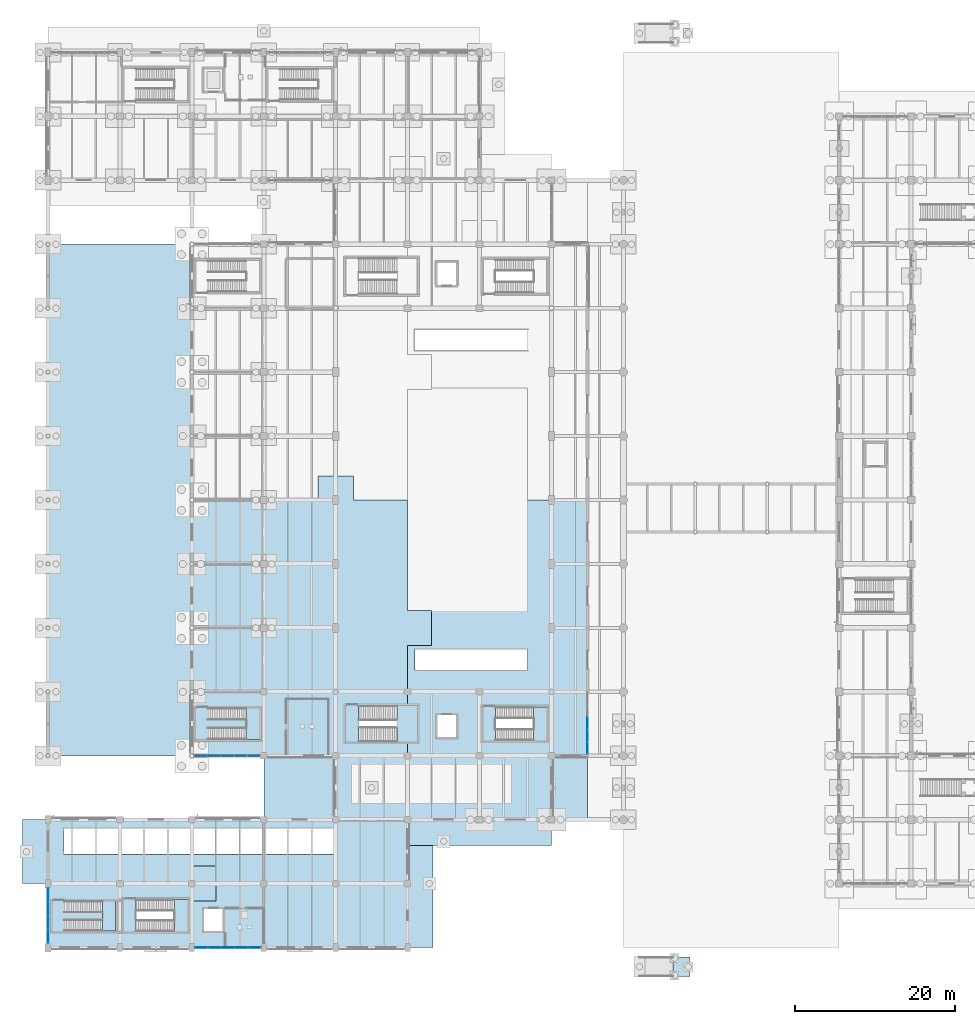
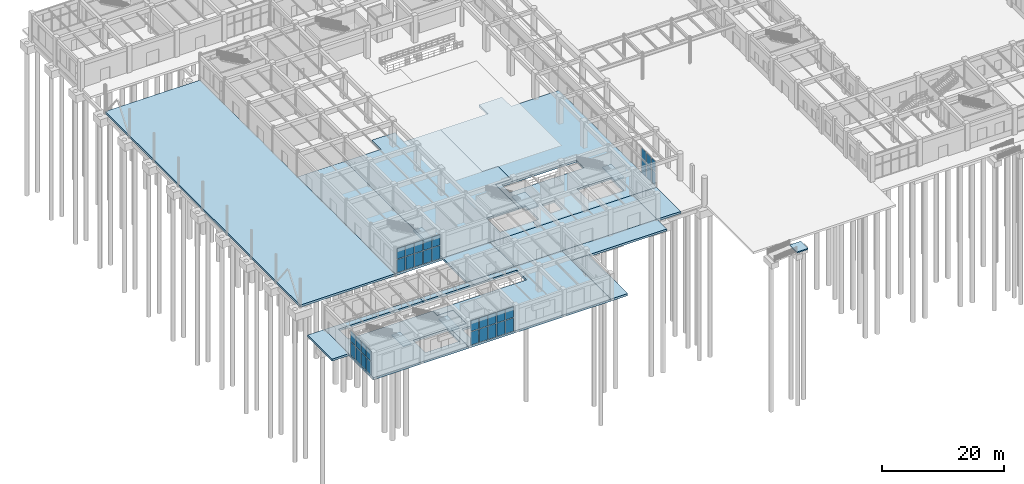
# One storey, part 82 of 121: 34 plates, 18 slabs, 10 elements without a shape of their own.
"""IFC4 building model written with IfcOpenShell, lengths in metres."""

from ifc_helpers import new_model, si_unit, derived_unit, direction, frame, origin, origin_2d, place, context, subcontext, project, spatial, polyline, rectangle, outline, extrude, material, layer, layer_set, type_object, element, aggregate, save


model = new_model("IFC4")

# Units and contexts
model_context = context("Model", 3, precision=1e-05, world=origin(), true_north=direction((0.0, 1.0)))
body_context = subcontext(model_context, "Body", "Model", "MODEL_VIEW")
ifc_project = project(units=[si_unit("LENGTHUNIT", "METRE"), si_unit("AREAUNIT", "SQUARE_METRE"), si_unit("VOLUMEUNIT", "CUBIC_METRE"), si_unit("PLANEANGLEUNIT", "RADIAN"), si_unit("MASSUNIT", "GRAM", prefix="KILO"), derived_unit("THERMALTRANSMITTANCEUNIT", [(si_unit("MASSUNIT", "GRAM", prefix="KILO"), 1), (si_unit("TIMEUNIT", "SECOND"), -3), (si_unit("THERMODYNAMICTEMPERATUREUNIT", "KELVIN"), -1)])], contexts=[model_context])

# Site, building, storey
site_placement = place(None, origin())
site = spatial("IfcSite", under=ifc_project, at=site_placement, CompositionType="ELEMENT")
building_placement = place(site_placement, origin())
building = spatial("IfcBuilding", under=site, at=building_placement, Name="Zhenchuan Archway Interchange", CompositionType="ELEMENT")
storey_placement = place(building_placement, origin())
storey = spatial("IfcBuildingStorey", under=building, at=storey_placement, Name="L00", CompositionType="ELEMENT", Elevation=0.0)

# Curtain wall, plates
ifc_material_1 = material(Name="Anodised Aluminium", Category="aluminium")
curtain_wall_type_1 = type_object("IfcCurtainWallType", Name="CW_UNIT_2", PredefinedType="NOTDEFINED", material=ifc_material_1)
curtain_wall_1_placement = place(storey_placement, origin())
curtain_wall_1 = element("IfcCurtainWall", 1, at=curtain_wall_1_placement, inside=storey, type_object=curtain_wall_type_1, Name="Unitised curtain wall CW:L00:001", PredefinedType="NOTDEFINED")
ifc_material_2 = material(Name="Double Low-E Insulated Glazing", Category="glass")
ifc_layer_1 = layer(ifc_material_2, 0.031982421875)
ifc_layer_set_1 = layer_set([ifc_layer_1], Name="Double Low-E Insulated Glazing")
plate_type_1 = type_object("IfcPlateType", Name="CW_GLZ_5", PredefinedType="CURTAIN_PANEL", material=ifc_layer_set_1)
plate_1_placement = place(storey_placement, frame((25.760986328125, 24.0, 0.080078125), z_axis=(0.0, 0.0, 1.0), x_axis=(-1.0, 0.0, 0.0)))
plate_1 = element("IfcPlate", 2, at=plate_1_placement, type_object=plate_type_1, Name="CW:L00:001 lower glazing panel 0", PredefinedType="CURTAIN_PANEL", context=body_context, shape_type="SweptSolid", body=[
    extrude(rectangle(XDim=1.51220703125, YDim=0.028076171875, at=origin_2d()), origin(), (0.0, 0.0, 1.0), 2.610107421875),
])
plate_2_placement = place(storey_placement, frame((24.098876953125, 24.0, 0.080078125), z_axis=(0.0, 0.0, 1.0), x_axis=(-1.0, 0.0, 0.0)))
plate_2 = element("IfcPlate", 3, at=plate_2_placement, type_object=plate_type_1, Name="CW:L00:001 lower glazing panel 1", PredefinedType="CURTAIN_PANEL", context=body_context, shape_type="SweptSolid", body=[
    extrude(rectangle(XDim=1.531982421875, YDim=0.028076171875, at=origin_2d()), origin(), (0.0, 0.0, 1.0), 2.610107421875),
])
plate_3_placement = place(storey_placement, frame((22.4267578125, 24.0, 0.080078125), z_axis=(0.0, 0.0, 1.0), x_axis=(-1.0, 0.0, 0.0)))
plate_3 = element("IfcPlate", 4, at=plate_3_placement, type_object=plate_type_1, Name="CW:L00:001 lower glazing panel 2", PredefinedType="CURTAIN_PANEL", context=body_context, shape_type="SweptSolid", body=[
    extrude(rectangle(XDim=1.531982421875, YDim=0.028076171875, at=origin_2d()), origin(), (0.0, 0.0, 1.0), 2.610107421875),
])
plate_4_placement = place(storey_placement, frame((20.754638671875, 24.0, 0.080078125), z_axis=(0.0, 0.0, 1.0), x_axis=(-1.0, 0.0, 0.0)))
plate_4 = element("IfcPlate", 5, at=plate_4_placement, type_object=plate_type_1, Name="CW:L00:001 lower glazing panel 3", PredefinedType="CURTAIN_PANEL", context=body_context, shape_type="SweptSolid", body=[
    extrude(rectangle(XDim=1.531982421875, YDim=0.028076171875, at=origin_2d()), origin(), (0.0, 0.0, 1.0), 2.610107421875),
])
plate_5_placement = place(storey_placement, frame((19.092529296875, 24.0, 0.080078125), z_axis=(0.0, 0.0, 1.0), x_axis=(-1.0, 0.0, 0.0)))
plate_5 = element("IfcPlate", 6, at=plate_5_placement, type_object=plate_type_1, Name="CW:L00:001 lower glazing panel 4", PredefinedType="CURTAIN_PANEL", context=body_context, shape_type="SweptSolid", body=[
    extrude(rectangle(XDim=1.51220703125, YDim=0.028076171875, at=origin_2d()), origin(), (0.0, 0.0, 1.0), 2.610107421875),
])

curtain_wall_type_2 = type_object("IfcCurtainWallType", Name="CW_UNIT_1", PredefinedType="NOTDEFINED", material=ifc_material_1)
curtain_wall_2_placement = place(storey_placement, origin())
curtain_wall_2 = element("IfcCurtainWall", 7, at=curtain_wall_2_placement, inside=storey, type_object=curtain_wall_type_2, Name="Unitised curtain wall CW:L00:008", PredefinedType="NOTDEFINED")
plate_6_placement = place(storey_placement, frame((67.5, 28.090087890625, 0.080078125), z_axis=(0.0, 0.0, 1.0), x_axis=(0.0, -1.0, 0.0)))
plate_6 = element("IfcPlate", 8, at=plate_6_placement, type_object=plate_type_1, Name="CW:L00:008 lower glazing panel 2", PredefinedType="CURTAIN_PANEL", context=body_context, shape_type="SweptSolid", body=[
    extrude(rectangle(XDim=1.424072265625, YDim=0.028076171875, at=origin_2d()), origin(), (0.0, 0.0, 1.0), 2.64306640625),
])
plate_7_placement = place(storey_placement, frame((67.5, 26.52587890625, 0.080078125), z_axis=(0.0, 0.0, 1.0), x_axis=(0.0, -1.0, 0.0)))
plate_7 = element("IfcPlate", 9, at=plate_7_placement, type_object=plate_type_1, Name="CW:L00:008 lower glazing panel 3", PredefinedType="CURTAIN_PANEL", context=body_context, shape_type="SweptSolid", body=[
    extrude(rectangle(XDim=1.424072265625, YDim=0.028076171875, at=origin_2d()), origin(), (0.0, 0.0, 1.0), 2.64306640625),
])
plate_8_placement = place(storey_placement, frame((67.5, 24.971923828125, 0.080078125), z_axis=(0.0, 0.0, 1.0), x_axis=(0.0, -1.0, 0.0)))
plate_8 = element("IfcPlate", 10, at=plate_8_placement, type_object=plate_type_1, Name="CW:L00:008 lower glazing panel 4", PredefinedType="CURTAIN_PANEL", context=body_context, shape_type="SweptSolid", body=[
    extrude(rectangle(XDim=1.404052734375, YDim=0.028076171875, at=origin_2d()), origin(), (0.0, 0.0, 1.0), 2.64306640625),
])

curtain_wall_3_placement = place(storey_placement, origin())
curtain_wall_3 = element("IfcCurtainWall", 11, at=curtain_wall_3_placement, inside=storey, type_object=curtain_wall_type_1, Name="Unitised curtain wall CW:L00:009", PredefinedType="NOTDEFINED")
plate_9_placement = place(storey_placement, frame((25.835693359375, 0.0, 0.080078125), z_axis=(0.0, 0.0, 1.0), x_axis=(-1.0, 0.0, 0.0)))
plate_9 = element("IfcPlate", 12, at=plate_9_placement, type_object=plate_type_1, Name="CW:L00:009 lower glazing panel 0", PredefinedType="CURTAIN_PANEL", context=body_context, shape_type="SweptSolid", body=[
    extrude(rectangle(XDim=1.5126953125, YDim=0.028076171875, at=origin_2d()), origin(), (0.0, 0.0, 1.0), 2.64306640625),
])
plate_10_placement = place(storey_placement, frame((24.1728515625, 0.0, 0.080078125), z_axis=(0.0, 0.0, 1.0), x_axis=(-1.0, 0.0, 0.0)))
plate_10 = element("IfcPlate", 13, at=plate_10_placement, type_object=plate_type_1, Name="CW:L00:009 lower glazing panel 1", PredefinedType="CURTAIN_PANEL", context=body_context, shape_type="SweptSolid", body=[
    extrude(rectangle(XDim=1.53271484375, YDim=0.028076171875, at=origin_2d()), origin(), (0.0, 0.0, 1.0), 2.64306640625),
])
plate_11_placement = place(storey_placement, frame((22.5, 0.0, 0.080078125), z_axis=(0.0, 0.0, 1.0), x_axis=(-1.0, 0.0, 0.0)))
plate_11 = element("IfcPlate", 14, at=plate_11_placement, type_object=plate_type_1, Name="CW:L00:009 lower glazing panel 2", PredefinedType="CURTAIN_PANEL", context=body_context, shape_type="SweptSolid", body=[
    extrude(rectangle(XDim=1.53271484375, YDim=0.028076171875, at=origin_2d()), origin(), (0.0, 0.0, 1.0), 2.64306640625),
])
plate_12_placement = place(storey_placement, frame((20.8271484375, 0.0, 0.080078125), z_axis=(0.0, 0.0, 1.0), x_axis=(-1.0, 0.0, 0.0)))
plate_12 = element("IfcPlate", 15, at=plate_12_placement, type_object=plate_type_1, Name="CW:L00:009 lower glazing panel 3", PredefinedType="CURTAIN_PANEL", context=body_context, shape_type="SweptSolid", body=[
    extrude(rectangle(XDim=1.53271484375, YDim=0.028076171875, at=origin_2d()), origin(), (0.0, 0.0, 1.0), 2.64306640625),
])
plate_13_placement = place(storey_placement, frame((19.164306640625, 0.0, 0.080078125), z_axis=(0.0, 0.0, 1.0), x_axis=(-1.0, 0.0, 0.0)))
plate_13 = element("IfcPlate", 16, at=plate_13_placement, type_object=plate_type_1, Name="CW:L00:009 lower glazing panel 4", PredefinedType="CURTAIN_PANEL", context=body_context, shape_type="SweptSolid", body=[
    extrude(rectangle(XDim=1.5126953125, YDim=0.028076171875, at=origin_2d()), origin(), (0.0, 0.0, 1.0), 2.64306640625),
])

curtain_wall_type_3 = type_object("IfcCurtainWallType", Name="CW_UNIT_3", PredefinedType="NOTDEFINED", material=ifc_material_1)
curtain_wall_4_placement = place(storey_placement, origin())
curtain_wall_4 = element("IfcCurtainWall", 17, at=curtain_wall_4_placement, inside=storey, type_object=curtain_wall_type_3, Name="Unitised curtain wall CW:L00:010", PredefinedType="NOTDEFINED")
plate_14_placement = place(storey_placement, frame((0.0, 1.3798828125, 0.080078125), z_axis=(0.0, 0.0, 1.0), x_axis=(0.0, 1.0, 0.0)))
plate_14 = element("IfcPlate", 18, at=plate_14_placement, type_object=plate_type_1, Name="CW:L00:010 lower glazing panel 0", PredefinedType="CURTAIN_PANEL", context=body_context, shape_type="SweptSolid", body=[
    extrude(rectangle(XDim=1.593505859375, YDim=0.028076171875, at=origin_2d()), origin(), (0.0, 0.0, 1.0), 2.64306640625),
])
plate_15_placement = place(storey_placement, frame((0.0, 3.123291015625, 0.080078125), z_axis=(0.0, 0.0, 1.0), x_axis=(0.0, 1.0, 0.0)))
plate_15 = element("IfcPlate", 19, at=plate_15_placement, type_object=plate_type_1, Name="CW:L00:010 lower glazing panel 1", PredefinedType="CURTAIN_PANEL", context=body_context, shape_type="SweptSolid", body=[
    extrude(rectangle(XDim=1.613525390625, YDim=0.028076171875, at=origin_2d()), origin(), (0.0, 0.0, 1.0), 2.64306640625),
])
plate_16_placement = place(storey_placement, frame((0.0, 4.876708984375, 0.080078125), z_axis=(0.0, 0.0, 1.0), x_axis=(0.0, 1.0, 0.0)))
plate_16 = element("IfcPlate", 20, at=plate_16_placement, type_object=plate_type_1, Name="CW:L00:010 lower glazing panel 2", PredefinedType="CURTAIN_PANEL", context=body_context, shape_type="SweptSolid", body=[
    extrude(rectangle(XDim=1.613525390625, YDim=0.028076171875, at=origin_2d()), origin(), (0.0, 0.0, 1.0), 2.64306640625),
])
plate_17_placement = place(storey_placement, frame((0.0, 6.6201171875, 0.080078125), z_axis=(0.0, 0.0, 1.0), x_axis=(0.0, 1.0, 0.0)))
plate_17 = element("IfcPlate", 21, at=plate_17_placement, type_object=plate_type_1, Name="CW:L00:010 lower glazing panel 3", PredefinedType="CURTAIN_PANEL", context=body_context, shape_type="SweptSolid", body=[
    extrude(rectangle(XDim=1.593505859375, YDim=0.028076171875, at=origin_2d()), origin(), (0.0, 0.0, 1.0), 2.64306640625),
])

# Plate
ifc_layer_2 = layer(ifc_material_2, 0.02197265625)
ifc_layer_set_2 = layer_set([ifc_layer_2], Name="Double Low-E Insulated Glazing")
plate_type_2 = type_object("IfcPlateType", Name="CW_GLZ_6", PredefinedType="CURTAIN_PANEL", material=ifc_layer_set_2)
plate_18_placement = place(storey_placement, frame((25.760986328125, 24.0, 2.81005859375), z_axis=(0.0, 0.0, 1.0), x_axis=(-1.0, 0.0, 0.0)))
plate_18 = element("IfcPlate", 22, at=plate_18_placement, type_object=plate_type_2, Name="CW:L00:001 upper glazing panel 0", PredefinedType="CURTAIN_PANEL", context=body_context, shape_type="SweptSolid", body=[
    extrude(rectangle(XDim=1.51220703125, YDim=0.02587890625, at=origin_2d()), origin(), (0.0, 0.0, 1.0), 2.110107421875),
])

plate_19_placement = place(storey_placement, frame((24.098876953125, 24.0, 2.81005859375), z_axis=(0.0, 0.0, 1.0), x_axis=(-1.0, 0.0, 0.0)))
plate_19 = element("IfcPlate", 23, at=plate_19_placement, type_object=plate_type_2, Name="CW:L00:001 upper glazing panel 1", PredefinedType="CURTAIN_PANEL", context=body_context, shape_type="SweptSolid", body=[
    extrude(rectangle(XDim=1.531982421875, YDim=0.02587890625, at=origin_2d()), origin(), (0.0, 0.0, 1.0), 2.110107421875),
])

plate_20_placement = place(storey_placement, frame((22.4267578125, 24.0, 2.81005859375), z_axis=(0.0, 0.0, 1.0), x_axis=(-1.0, 0.0, 0.0)))
plate_20 = element("IfcPlate", 24, at=plate_20_placement, type_object=plate_type_2, Name="CW:L00:001 upper glazing panel 2", PredefinedType="CURTAIN_PANEL", context=body_context, shape_type="SweptSolid", body=[
    extrude(rectangle(XDim=1.531982421875, YDim=0.02587890625, at=origin_2d()), origin(), (0.0, 0.0, 1.0), 2.110107421875),
])

plate_21_placement = place(storey_placement, frame((20.754638671875, 24.0, 2.81005859375), z_axis=(0.0, 0.0, 1.0), x_axis=(-1.0, 0.0, 0.0)))
plate_21 = element("IfcPlate", 25, at=plate_21_placement, type_object=plate_type_2, Name="CW:L00:001 upper glazing panel 3", PredefinedType="CURTAIN_PANEL", context=body_context, shape_type="SweptSolid", body=[
    extrude(rectangle(XDim=1.531982421875, YDim=0.02587890625, at=origin_2d()), origin(), (0.0, 0.0, 1.0), 2.110107421875),
])

plate_22_placement = place(storey_placement, frame((19.092529296875, 24.0, 2.81005859375), z_axis=(0.0, 0.0, 1.0), x_axis=(-1.0, 0.0, 0.0)))
plate_22 = element("IfcPlate", 26, at=plate_22_placement, type_object=plate_type_2, Name="CW:L00:001 upper glazing panel 4", PredefinedType="CURTAIN_PANEL", context=body_context, shape_type="SweptSolid", body=[
    extrude(rectangle(XDim=1.51220703125, YDim=0.02587890625, at=origin_2d()), origin(), (0.0, 0.0, 1.0), 2.110107421875),
])

aggregate(curtain_wall_1, [plate_1, plate_18, plate_2, plate_19, plate_3, plate_20, plate_4, plate_21, plate_5, plate_22])

plate_23_placement = place(storey_placement, frame((67.5, 28.090087890625, 2.84326171875), z_axis=(0.0, 0.0, 1.0), x_axis=(0.0, -1.0, 0.0)))
plate_23 = element("IfcPlate", 27, at=plate_23_placement, type_object=plate_type_2, Name="CW:L00:008 upper glazing panel 2", PredefinedType="CURTAIN_PANEL", context=body_context, shape_type="SweptSolid", body=[
    extrude(rectangle(XDim=1.424072265625, YDim=0.02587890625, at=origin_2d()), origin(), (0.0, 0.0, 1.0), 2.136962890625),
])

plate_24_placement = place(storey_placement, frame((67.5, 26.52587890625, 2.84326171875), z_axis=(0.0, 0.0, 1.0), x_axis=(0.0, -1.0, 0.0)))
plate_24 = element("IfcPlate", 28, at=plate_24_placement, type_object=plate_type_2, Name="CW:L00:008 upper glazing panel 3", PredefinedType="CURTAIN_PANEL", context=body_context, shape_type="SweptSolid", body=[
    extrude(rectangle(XDim=1.424072265625, YDim=0.02587890625, at=origin_2d()), origin(), (0.0, 0.0, 1.0), 2.136962890625),
])

plate_25_placement = place(storey_placement, frame((67.5, 24.971923828125, 2.84326171875), z_axis=(0.0, 0.0, 1.0), x_axis=(0.0, -1.0, 0.0)))
plate_25 = element("IfcPlate", 29, at=plate_25_placement, type_object=plate_type_2, Name="CW:L00:008 upper glazing panel 4", PredefinedType="CURTAIN_PANEL", context=body_context, shape_type="SweptSolid", body=[
    extrude(rectangle(XDim=1.404052734375, YDim=0.02587890625, at=origin_2d()), origin(), (0.0, 0.0, 1.0), 2.136962890625),
])

aggregate(curtain_wall_2, [plate_6, plate_23, plate_7, plate_24, plate_8, plate_25])

plate_26_placement = place(storey_placement, frame((25.835693359375, 0.0, 2.84326171875), z_axis=(0.0, 0.0, 1.0), x_axis=(-1.0, 0.0, 0.0)))
plate_26 = element("IfcPlate", 30, at=plate_26_placement, type_object=plate_type_2, Name="CW:L00:009 upper glazing panel 0", PredefinedType="CURTAIN_PANEL", context=body_context, shape_type="SweptSolid", body=[
    extrude(rectangle(XDim=1.5126953125, YDim=0.02587890625, at=origin_2d()), origin(), (0.0, 0.0, 1.0), 2.136962890625),
])

plate_27_placement = place(storey_placement, frame((24.1728515625, 0.0, 2.84326171875), z_axis=(0.0, 0.0, 1.0), x_axis=(-1.0, 0.0, 0.0)))
plate_27 = element("IfcPlate", 31, at=plate_27_placement, type_object=plate_type_2, Name="CW:L00:009 upper glazing panel 1", PredefinedType="CURTAIN_PANEL", context=body_context, shape_type="SweptSolid", body=[
    extrude(rectangle(XDim=1.53271484375, YDim=0.02587890625, at=origin_2d()), origin(), (0.0, 0.0, 1.0), 2.136962890625),
])

plate_28_placement = place(storey_placement, frame((22.5, 0.0, 2.84326171875), z_axis=(0.0, 0.0, 1.0), x_axis=(-1.0, 0.0, 0.0)))
plate_28 = element("IfcPlate", 32, at=plate_28_placement, type_object=plate_type_2, Name="CW:L00:009 upper glazing panel 2", PredefinedType="CURTAIN_PANEL", context=body_context, shape_type="SweptSolid", body=[
    extrude(rectangle(XDim=1.53271484375, YDim=0.02587890625, at=origin_2d()), origin(), (0.0, 0.0, 1.0), 2.136962890625),
])

plate_29_placement = place(storey_placement, frame((20.8271484375, 0.0, 2.84326171875), z_axis=(0.0, 0.0, 1.0), x_axis=(-1.0, 0.0, 0.0)))
plate_29 = element("IfcPlate", 33, at=plate_29_placement, type_object=plate_type_2, Name="CW:L00:009 upper glazing panel 3", PredefinedType="CURTAIN_PANEL", context=body_context, shape_type="SweptSolid", body=[
    extrude(rectangle(XDim=1.53271484375, YDim=0.02587890625, at=origin_2d()), origin(), (0.0, 0.0, 1.0), 2.136962890625),
])

plate_30_placement = place(storey_placement, frame((19.164306640625, 0.0, 2.84326171875), z_axis=(0.0, 0.0, 1.0), x_axis=(-1.0, 0.0, 0.0)))
plate_30 = element("IfcPlate", 34, at=plate_30_placement, type_object=plate_type_2, Name="CW:L00:009 upper glazing panel 4", PredefinedType="CURTAIN_PANEL", context=body_context, shape_type="SweptSolid", body=[
    extrude(rectangle(XDim=1.5126953125, YDim=0.02587890625, at=origin_2d()), origin(), (0.0, 0.0, 1.0), 2.136962890625),
])

aggregate(curtain_wall_3, [plate_9, plate_26, plate_10, plate_27, plate_11, plate_28, plate_12, plate_29, plate_13, plate_30])

plate_31_placement = place(storey_placement, frame((0.0, 1.3798828125, 2.84326171875), z_axis=(0.0, 0.0, 1.0), x_axis=(0.0, 1.0, 0.0)))
plate_31 = element("IfcPlate", 35, at=plate_31_placement, type_object=plate_type_2, Name="CW:L00:010 upper glazing panel 0", PredefinedType="CURTAIN_PANEL", context=body_context, shape_type="SweptSolid", body=[
    extrude(rectangle(XDim=1.593505859375, YDim=0.02587890625, at=origin_2d()), origin(), (0.0, 0.0, 1.0), 2.136962890625),
])

plate_32_placement = place(storey_placement, frame((0.0, 3.123291015625, 2.84326171875), z_axis=(0.0, 0.0, 1.0), x_axis=(0.0, 1.0, 0.0)))
plate_32 = element("IfcPlate", 36, at=plate_32_placement, type_object=plate_type_2, Name="CW:L00:010 upper glazing panel 1", PredefinedType="CURTAIN_PANEL", context=body_context, shape_type="SweptSolid", body=[
    extrude(rectangle(XDim=1.613525390625, YDim=0.02587890625, at=origin_2d()), origin(), (0.0, 0.0, 1.0), 2.136962890625),
])

plate_33_placement = place(storey_placement, frame((0.0, 4.876708984375, 2.84326171875), z_axis=(0.0, 0.0, 1.0), x_axis=(0.0, 1.0, 0.0)))
plate_33 = element("IfcPlate", 37, at=plate_33_placement, type_object=plate_type_2, Name="CW:L00:010 upper glazing panel 2", PredefinedType="CURTAIN_PANEL", context=body_context, shape_type="SweptSolid", body=[
    extrude(rectangle(XDim=1.613525390625, YDim=0.02587890625, at=origin_2d()), origin(), (0.0, 0.0, 1.0), 2.136962890625),
])

plate_34_placement = place(storey_placement, frame((0.0, 6.6201171875, 2.84326171875), z_axis=(0.0, 0.0, 1.0), x_axis=(0.0, 1.0, 0.0)))
plate_34 = element("IfcPlate", 38, at=plate_34_placement, type_object=plate_type_2, Name="CW:L00:010 upper glazing panel 3", PredefinedType="CURTAIN_PANEL", context=body_context, shape_type="SweptSolid", body=[
    extrude(rectangle(XDim=1.593505859375, YDim=0.02587890625, at=origin_2d()), origin(), (0.0, 0.0, 1.0), 2.136962890625),
])

aggregate(curtain_wall_4, [plate_14, plate_31, plate_15, plate_32, plate_16, plate_33, plate_17, plate_34])

# Slabs
ifc_material_3 = material(Name="Concrete C40", Category="concrete")
ifc_layer_3 = layer(ifc_material_3, 0.419921875)
ifc_layer_set_3 = layer_set([ifc_layer_3], Name="Concrete C40")
slab_type_1 = type_object("IfcSlabType", Name="SLB_FLR_420", PredefinedType="FLOOR", material=ifc_layer_set_3)
slab_1_placement = place(storey_placement, frame((0.0, 0.0, -0.419921875)))
element("IfcSlab", 39, at=slab_1_placement, inside=storey, type_object=slab_type_1, Name="Structural slab L00 CH-SW", PredefinedType="FLOOR", context=body_context, shape_type="SweptSolid", body=[
    extrude(outline(polyline([(47.998046875, 42.197998046875), (47.998046875, 37.802001953125), (45.0, 37.802001953125), (45.0, 30.27490234375), (38.875, 30.27490234375), (38.875, 25.72509765625), (45.0, 25.72509765625), (45.0, 24.0), (27.0, 24.0), (27.0, 56.0), (33.802001953125, 56.0), (33.802001953125, 58.998046875), (38.197998046875, 58.998046875), (38.197998046875, 56.0), (45.0, 56.0), (45.0, 42.197998046875), (47.998046875, 42.197998046875)])), origin(), (0.0, 0.0, 1.0), 0.419921875),
])
slab_2_placement = place(storey_placement, frame((0.0, 0.0, -0.419921875)))
element("IfcSlab", 40, at=slab_2_placement, inside=storey, type_object=slab_type_1, Name="Structural slab L00 CH-SE", PredefinedType="FLOOR", context=body_context, shape_type="SweptSolid", body=[
    extrude(outline(polyline([(67.5, 56.0), (67.5, 24.0), (45.0, 24.0), (45.0, 25.72509765625), (46.22509765625, 25.72509765625), (46.22509765625, 30.27490234375), (45.0, 30.27490234375), (45.0, 37.800048828125), (48.0, 37.800048828125), (48.0, 42.199951171875), (45.0, 42.199951171875), (45.0, 56.0), (54.052001953125, 56.0), (54.052001953125, 58.998046875), (58.447998046875, 58.998046875), (58.447998046875, 56.0), (67.5, 56.0)]), holes=[polyline([(55.965087890625, 30.125), (55.965087890625, 25.875), (62.43505859375, 25.875), (62.43505859375, 30.125), (55.965087890625, 30.125)]), polyline([(60.0, 37.27490234375), (45.89990234375, 37.27490234375), (45.89990234375, 34.72509765625), (60.0, 34.72509765625), (60.0, 37.27490234375)]), polyline([(51.080078125, 26.320068359375), (51.080078125, 29.080078125), (48.719970703125, 29.080078125), (48.719970703125, 26.320068359375), (51.080078125, 26.320068359375)])]), origin(), (0.0, 0.0, 1.0), 0.419921875),
])
slab_3_placement = place(storey_placement, frame((0.0, 0.0, -0.419921875)))
element("IfcSlab", 41, at=slab_3_placement, inside=storey, type_object=slab_type_1, Name="Structural slab L00 CH-ENT-S", PredefinedType="FLOOR", context=body_context, shape_type="SweptSolid", body=[
    extrude(outline(polyline([(63.0, 16.0), (63.0, 24.0), (36.0, 24.0), (36.0, 16.0), (63.0, 16.0)])), origin(), (0.0, 0.0, 1.0), 0.419921875),
])
slab_4_placement = place(storey_placement, frame((0.0, 0.0, -0.419921875)))
element("IfcSlab", 42, at=slab_4_placement, inside=storey, type_object=slab_type_1, Name="Structural slab L00 BUS-S", PredefinedType="FLOOR", context=body_context, shape_type="SweptSolid", body=[
    extrude(outline(polyline([(27.0, 24.0), (27.0, 56.0), (18.0, 56.0), (18.0, 24.0), (27.0, 24.0)])), origin(), (0.0, 0.0, 1.0), 0.419921875),
])
slab_5_placement = place(storey_placement, frame((0.0, 0.0, -0.419921875)))
element("IfcSlab", 43, at=slab_5_placement, inside=storey, type_object=slab_type_1, Name="Structural slab L00 CYC-W", PredefinedType="FLOOR", context=body_context, shape_type="SweptSolid", body=[
    extrude(outline(polyline([(0.0, 16.0), (18.0, 16.0), (18.0, 14.89990234375), (2.0, 14.89990234375), (2.0, 11.699951171875), (18.0, 11.699951171875), (18.0, 10.197998046875), (20.998046875, 10.197998046875), (20.998046875, 5.802001953125), (18.0, 5.802001953125), (18.0, 0.0), (0.0, 0.0), (0.0, 16.0)]), holes=[polyline([(17.4951171875, 6.02490234375), (11.02490234375, 6.02490234375), (11.02490234375, 1.97509765625), (17.4951171875, 1.97509765625), (17.4951171875, 6.02490234375)])]), origin(), (0.0, 0.0, 1.0), 0.419921875),
])
slab_6_placement = place(storey_placement, frame((0.0, 0.0, -0.419921875)))
element("IfcSlab", 44, at=slab_6_placement, inside=storey, type_object=slab_type_1, Name="Structural slab L00 CYC-E", PredefinedType="FLOOR", context=body_context, shape_type="SweptSolid", body=[
    extrude(outline(polyline([(45.0, 0.0), (18.0, 0.0), (18.0, 5.800048828125), (21.0, 5.800048828125), (21.0, 10.199951171875), (18.0, 10.199951171875), (18.0, 11.699951171875), (35.800048828125, 11.699951171875), (35.800048828125, 14.89990234375), (18.0, 14.89990234375), (18.0, 16.0), (45.0, 16.0), (45.0, 0.0)]), holes=[polyline([(21.8798828125, 4.830078125), (19.52001953125, 4.830078125), (19.52001953125, 2.070068359375), (21.8798828125, 2.070068359375), (21.8798828125, 4.830078125)])]), origin(), (0.0, 0.0, 1.0), 0.419921875),
])
slab_7_placement = place(storey_placement, frame((0.0, 0.0, -0.419921875)))
element("IfcSlab", 45, at=slab_7_placement, inside=storey, type_object=slab_type_1, Name="Exterior structural deck slab BUS-APRON", PredefinedType="FLOOR", context=body_context, shape_type="SweptSolid", body=[
    extrude(outline(polyline([(0.0, 24.0), (0.0, 88.0), (17.9970703125, 88.0), (17.9970703125, 24.0), (0.0, 24.0)])), origin(), (0.0, 0.0, 1.0), 0.419921875),
])
slab_8_placement = place(storey_placement, frame((0.0, 0.0, -0.419921875)))
element("IfcSlab", 46, at=slab_8_placement, inside=storey, type_object=slab_type_1, Name="Exterior structural deck slab ARC-PORCH-SW", PredefinedType="FLOOR", context=body_context, shape_type="SweptSolid", body=[
    extrude(outline(polyline([(27.0, 23.9970703125), (35.9970703125, 23.9970703125), (35.9970703125, 16.0029296875), (27.0, 16.0029296875), (27.0, 23.9970703125)])), origin(), (0.0, 0.0, 1.0), 0.419921875),
])
slab_9_placement = place(storey_placement, frame((0.0, 0.0, -0.419921875)))
element("IfcSlab", 47, at=slab_9_placement, inside=storey, type_object=slab_type_1, Name="Exterior structural deck slab ARC-PORCH-SE", PredefinedType="FLOOR", context=body_context, shape_type="SweptSolid", body=[
    extrude(outline(polyline([(63.0029296875, 16.0), (63.0029296875, 23.9970703125), (67.498046875, 23.9970703125), (67.498046875, 16.0), (63.0029296875, 16.0)])), origin(), (0.0, 0.0, 1.0), 0.419921875),
])
slab_10_placement = place(storey_placement, frame((0.0, 0.0, -0.419921875)))
element("IfcSlab", 48, at=slab_10_placement, inside=storey, type_object=slab_type_1, Name="Exterior structural deck slab WLK-ENT-S", PredefinedType="FLOOR", context=body_context, shape_type="SweptSolid", body=[
    extrude(outline(polyline([(63.0, 15.9951171875), (63.0, 12.800048828125), (45.0029296875, 12.800048828125), (45.0029296875, 15.9951171875), (63.0, 15.9951171875)])), origin(), (0.0, 0.0, 1.0), 0.419921875),
])
slab_11_placement = place(storey_placement, frame((0.0, 0.0, -0.419921875)))
element("IfcSlab", 49, at=slab_11_placement, inside=storey, type_object=slab_type_1, Name="Exterior structural deck slab WLK-CYC-E", PredefinedType="FLOOR", context=body_context, shape_type="SweptSolid", body=[
    extrude(outline(polyline([(48.199951171875, 0.0), (45.0048828125, 0.0), (45.0048828125, 12.798095703125), (48.199951171875, 12.798095703125), (48.199951171875, 0.0)])), origin(), (0.0, 0.0, 1.0), 0.419921875),
])
slab_12_placement = place(storey_placement, frame((0.0, 0.0, -0.419921875)))
element("IfcSlab", 50, at=slab_12_placement, inside=storey, type_object=slab_type_1, Name="Exterior structural deck slab WLK-CYC-W", PredefinedType="FLOOR", context=body_context, shape_type="SweptSolid", body=[
    extrude(outline(polyline([(-3.199951171875, 8.0), (-3.199951171875, 16.0), (-0.0048828125, 16.0), (-0.0048828125, 8.0), (-3.199951171875, 8.0)])), origin(), (0.0, 0.0, 1.0), 0.419921875),
])

# Stair, slab
ifc_material_4 = material(Name="Concrete C35", Category="concrete")
stair_type_1 = type_object("IfcStairType", Name="STR_HALF_1800", PredefinedType="HALF_TURN_STAIR", material=ifc_material_4)
stair_1_placement = place(storey_placement, origin())
stair_1 = element("IfcStair", 51, at=stair_1_placement, inside=storey, type_object=stair_type_1, Name="Stair ST-M1 (L00)", PredefinedType="HALF_TURN_STAIR")
ifc_layer_4 = layer(ifc_material_4, 0.199951171875)
ifc_layer_set_4 = layer_set([ifc_layer_4], Name="Concrete C35")
slab_type_2 = type_object("IfcSlabType", Name="SLB_LANDING_200", PredefinedType="LANDING", material=ifc_layer_set_4)
slab_13_placement = place(storey_placement, frame((0.0, 0.0, 2.5)))
slab_13 = element("IfcSlab", 52, at=slab_13_placement, type_object=slab_type_2, Name="Stair ST-M1 half-landing (L00)", PredefinedType="LANDING", context=body_context, shape_type="SweptSolid", body=[
    extrude(outline(polyline([(43.655029296875, 25.722900390625), (46.22705078125, 25.722900390625), (46.22705078125, 30.277099609375), (43.655029296875, 30.277099609375), (43.655029296875, 25.722900390625)])), origin(), (0.0, 0.0, 1.0), 0.199951171875),
])
aggregate(stair_1, [slab_13])

stair_type_2 = type_object("IfcStairType", Name="STR_HALF_1400", PredefinedType="HALF_TURN_STAIR", material=ifc_material_4)
stair_2_placement = place(storey_placement, origin())
stair_2 = element("IfcStair", 53, at=stair_2_placement, inside=storey, type_object=stair_type_2, Name="Stair ST-M3 (L00)", PredefinedType="HALF_TURN_STAIR")
slab_14_placement = place(storey_placement, frame((0.0, 0.0, 2.5)))
slab_14 = element("IfcSlab", 54, at=slab_14_placement, type_object=slab_type_2, Name="Stair ST-M3 half-landing (L00)", PredefinedType="LANDING", context=body_context, shape_type="SweptSolid", body=[
    extrude(outline(polyline([(60.7451171875, 25.873046875), (62.43701171875, 25.873046875), (62.43701171875, 30.126953125), (60.7451171875, 30.126953125), (60.7451171875, 25.873046875)])), origin(), (0.0, 0.0, 1.0), 0.199951171875),
])
aggregate(stair_2, [slab_14])

stair_type_3 = type_object("IfcStairType", Name="STR_HALF_1450", PredefinedType="HALF_TURN_STAIR", material=ifc_material_4)
stair_3_placement = place(storey_placement, origin())
stair_3 = element("IfcStair", 55, at=stair_3_placement, inside=storey, type_object=stair_type_3, Name="Stair ST-B1 (L00)", PredefinedType="HALF_TURN_STAIR")
slab_15_placement = place(storey_placement, frame((0.0, 0.0, 2.5)))
slab_15 = element("IfcSlab", 56, at=slab_15_placement, type_object=slab_type_2, Name="Stair ST-B1 half-landing (L00)", PredefinedType="LANDING", context=body_context, shape_type="SweptSolid", body=[
    extrude(outline(polyline([(24.804931640625, 26.02294921875), (26.4970703125, 26.02294921875), (26.4970703125, 29.97705078125), (24.804931640625, 29.97705078125), (24.804931640625, 26.02294921875)])), origin(), (0.0, 0.0, 1.0), 0.199951171875),
])
aggregate(stair_3, [slab_15])

stair_4_placement = place(storey_placement, origin())
stair_4 = element("IfcStair", 57, at=stair_4_placement, inside=storey, type_object=stair_type_2, Name="Stair ST-C1 (L00)", PredefinedType="HALF_TURN_STAIR")
slab_16_placement = place(storey_placement, frame((0.0, 0.0, 2.5)))
slab_16 = element("IfcSlab", 58, at=slab_16_placement, type_object=slab_type_2, Name="Stair ST-C1 half-landing (L00)", PredefinedType="LANDING", context=body_context, shape_type="SweptSolid", body=[
    extrude(outline(polyline([(15.804931640625, 1.972900390625), (17.4970703125, 1.972900390625), (17.4970703125, 6.027099609375), (15.804931640625, 6.027099609375), (15.804931640625, 1.972900390625)])), origin(), (0.0, 0.0, 1.0), 0.199951171875),
])
aggregate(stair_4, [slab_16])

stair_5_placement = place(storey_placement, origin())
stair_5 = element("IfcStair", 59, at=stair_5_placement, inside=storey, type_object=stair_type_2, Name="Stair ST-C2 (L00)", PredefinedType="HALF_TURN_STAIR")
slab_17_placement = place(storey_placement, frame((0.0, 0.0, 2.5)))
slab_17 = element("IfcSlab", 60, at=slab_17_placement, type_object=slab_type_2, Name="Stair ST-C2 half-landing (L00)", PredefinedType="LANDING", context=body_context, shape_type="SweptSolid", body=[
    extrude(outline(polyline([(6.844970703125, 2.072998046875), (8.45703125, 2.072998046875), (8.45703125, 5.826904296875), (6.844970703125, 5.826904296875), (6.844970703125, 2.072998046875)])), origin(), (0.0, 0.0, 1.0), 0.199951171875),
])
aggregate(stair_5, [slab_17])

# Ramp, slab
ramp_type = type_object("IfcRampType", Name="RMP_ACC_SYS", PredefinedType="USERDEFINED", material=ifc_material_4)
ramp_placement = place(storey_placement, origin())
ramp = element("IfcRamp", 61, at=ramp_placement, inside=storey, type_object=ramp_type, Name="South Public Passage accessible entrance ramp RMP-A1", ObjectType="ACCESSIBLE_RAMP", PredefinedType="USERDEFINED")
ifc_layer_5 = layer(ifc_material_4, 0.219970703125)
ifc_layer_set_5 = layer_set([ifc_layer_5], Name="Concrete C35")
slab_type_3 = type_object("IfcSlabType", Name="SLB_LANDING_220", PredefinedType="LANDING", material=ifc_layer_set_5)
slab_18_placement = place(storey_placement, frame((0.0, 0.0, -0.25)))
slab_18 = element("IfcSlab", 62, at=slab_18_placement, type_object=slab_type_3, Name="RMP-A1 threshold landing", PredefinedType="LANDING", context=body_context, shape_type="SweptSolid", body=[
    extrude(outline(polyline([(78.199951171875, -3.60009765625), (80.300048828125, -3.60009765625), (80.300048828125, -1.199951171875), (78.199951171875, -1.199951171875), (78.199951171875, -3.60009765625)])), origin(), (0.0, 0.0, 1.0), 0.25),
])
aggregate(ramp, [slab_18])

save(model, "model.ifc")
